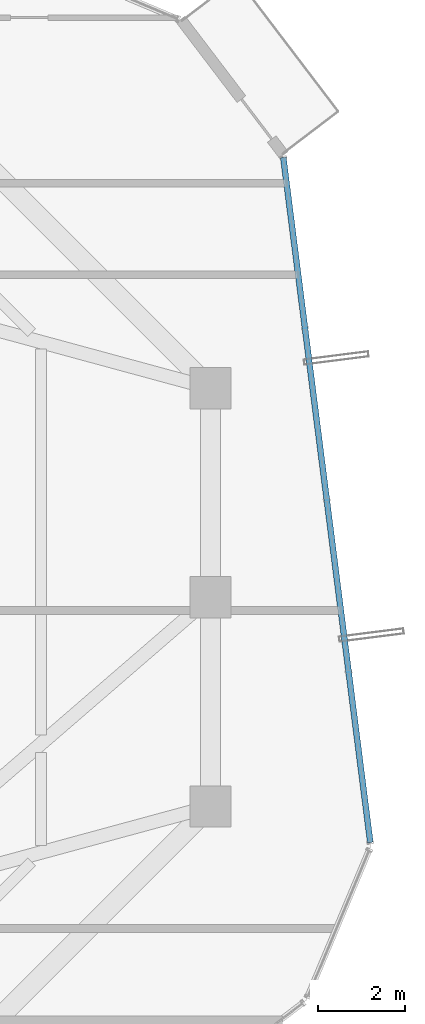
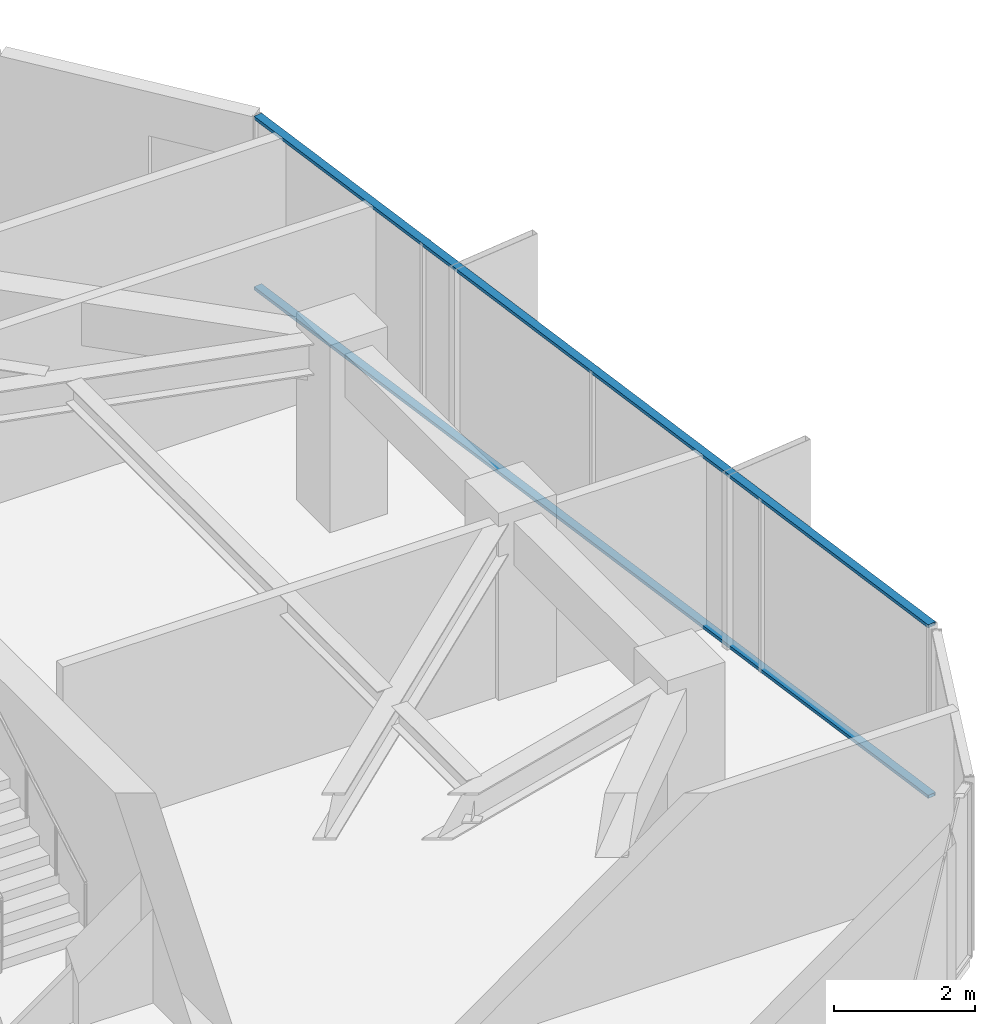
# One storey, part 19 of 32: 2 members, 1 element without a shape of its own.
"""IFC4 building model written with IfcOpenShell, lengths in metres."""

import ifcopenshell
import ifcopenshell.guid

model = None  # the IFC model being written
_history = None  # IfcOwnerHistory: only IFC2X3 demands one
_inside = {}  # id of a spatial element -> (the spatial element, [elements in it])
_under = {}  # id of a project, library or spatial element -> (it, [spatial elements below it])
_declared = {}  # id of a project -> (the project, [libraries it declares])
_typed = {}  # id of a type object -> (the type object, [elements of that type])
_made_of = {}  # id of a material, layer set ... -> (it, [elements and type objects made of it])


def new_model(schema):
    """Start an empty IFC model of exactly this schema.

    Asked for "IFC4X3", IfcOpenShell would pick the latest addendum, in which some entities
    have other attributes; the version numbers below select the first issue.
    IFC2X3 requires an IfcOwnerHistory on every rooted entity: one is made here for all.
    """
    global model, _history
    if schema == "IFC4X3":
        model = ifcopenshell.file(schema_version=(4, 3, 0, 0))
    else:
        model = ifcopenshell.file(schema=schema)
    _inside.clear()
    _under.clear()
    _declared.clear()
    _typed.clear()
    _made_of.clear()
    _history = None
    if model.schema == "IFC2X3":
        org = make("IfcOrganization", Name="unknown")
        user = make(
            "IfcPersonAndOrganization",
            ThePerson=make("IfcPerson", FamilyName="unknown"),
            TheOrganization=org,
        )
        app = make(
            "IfcApplication",
            ApplicationDeveloper=org,
            Version="unknown",
            ApplicationFullName="unknown",
            ApplicationIdentifier="unknown",
        )
        _history = make(
            "IfcOwnerHistory",
            OwningUser=user,
            OwningApplication=app,
            ChangeAction="ADDED",
            CreationDate=0,
        )
    return model


def make(cls, **values):
    """One entity of the class cls with the attributes given. An attribute that is None is left unset."""
    return model.create_entity(
        cls, **{name: value for name, value in values.items() if value is not None}
    )


def rooted(cls, **values):
    """An entity with a GlobalId (a new one), such as an element, a storey or a relation."""
    return make(cls, GlobalId=ifcopenshell.guid.new(), OwnerHistory=_history, **values)


def si_unit(unit_type, name, prefix=None):
    """IfcSIUnit, for example si_unit("LENGTHUNIT", "METRE", prefix="MILLI")."""
    return make("IfcSIUnit", UnitType=unit_type, Prefix=prefix, Name=name)


def assignment(units):
    """IfcUnitAssignment: the units of a project."""
    return None if units is None else make("IfcUnitAssignment", Units=units)


def point(xyz):
    """IfcCartesianPoint."""
    return None if xyz is None else make("IfcCartesianPoint", Coordinates=xyz)


def direction(xyz):
    """IfcDirection."""
    return None if xyz is None else make("IfcDirection", DirectionRatios=xyz)


def frame(location, z_axis=None, x_axis=None):
    """IfcAxis2Placement3D, a coordinate frame: its origin and axes. An axis left out is left unset."""
    return make(
        "IfcAxis2Placement3D",
        Location=point(location),
        Axis=direction(z_axis),
        RefDirection=direction(x_axis),
    )


def frame_2d(location, x_axis=None):
    """IfcAxis2Placement2D, a coordinate frame in the plane: its origin and x axis."""
    return make(
        "IfcAxis2Placement2D", Location=point(location), RefDirection=direction(x_axis)
    )


def origin():
    """The frame at (0, 0, 0) with its axes left unset."""
    return frame((0.0, 0.0, 0.0))


def origin_2d():
    """The frame at (0, 0) in the plane with its x axis left unset."""
    return frame_2d((0.0, 0.0))


def place(relative_to, where):
    """IfcLocalPlacement: puts the frame where relative to a parent placement (None: the world)."""
    return make(
        "IfcLocalPlacement", PlacementRelTo=relative_to, RelativePlacement=where
    )


def context(
    kind, dimensions, precision=None, world=None, true_north=None, identifier=None
):
    """IfcGeometricRepresentationContext, for example the 3D "Model" context."""
    return make(
        "IfcGeometricRepresentationContext",
        ContextIdentifier=identifier,
        ContextType=kind,
        CoordinateSpaceDimension=dimensions,
        Precision=precision,
        WorldCoordinateSystem=world,
        TrueNorth=true_north,
    )


def subcontext(parent, identifier, kind, view, scale=None):
    """IfcGeometricRepresentationSubContext, for example "Body" below "Model"."""
    return make(
        "IfcGeometricRepresentationSubContext",
        ContextIdentifier=identifier,
        ContextType=kind,
        ParentContext=parent,
        TargetScale=scale,
        TargetView=view,
    )


def project(units=None, contexts=None):
    """IfcProject with its units and contexts."""
    return rooted(
        "IfcProject",
        Name="project",
        RepresentationContexts=contexts,
        UnitsInContext=assignment(units),
    )


def spatial(cls, under=None, at=None, **own):
    """A site, building, storey or space (cls), placed at a placement, below another one or the project."""
    s = rooted(cls, ObjectPlacement=at, **own)
    if under is not None:
        _under.setdefault(under.id(), (under, []))[1].append(s)
    return s


def profile(cls, at=None, kind="AREA", **sizes):
    """A parametric profile (cls). Its sizes go by their IFC names, for example OverallWidth=200.0."""
    return make(cls, ProfileType=kind, Position=at, **sizes)


def hollow_rectangle(**sizes):
    """IfcRectangleHollowProfileDef."""
    return profile("IfcRectangleHollowProfileDef", **sizes)


def extrude(swept, where, along, depth):
    """IfcExtrudedAreaSolid: the profile swept, set in the frame where, extruded along a direction by depth."""
    return make(
        "IfcExtrudedAreaSolid",
        SweptArea=swept,
        Position=where,
        ExtrudedDirection=direction(along),
        Depth=depth,
    )


def shape(context_of_items, identifier, shape_type, items):
    """IfcShapeRepresentation: the items that make up one representation, for example the "Body"."""
    return make(
        "IfcShapeRepresentation",
        ContextOfItems=context_of_items,
        RepresentationIdentifier=identifier,
        RepresentationType=shape_type,
        Items=items,
    )


def source(mapping_origin, context_of_items, identifier, shape_type, items):
    """IfcRepresentationMap: a shape defined once, which mapped items show again and again."""
    return make(
        "IfcRepresentationMap",
        MappingOrigin=mapping_origin,
        MappedRepresentation=shape(context_of_items, identifier, shape_type, items),
    )


def transform(
    local_origin,
    x_axis=None,
    y_axis=None,
    z_axis=None,
    scale=None,
    scale2=None,
    scale3=None,
    uniform=True,
):
    """IfcCartesianTransformationOperator3D, or its non-uniform kind. x_axis, y_axis, z_axis: its Axis1, 2, 3."""
    if uniform:
        return make(
            "IfcCartesianTransformationOperator3D",
            Axis1=direction(x_axis),
            Axis2=direction(y_axis),
            LocalOrigin=point(local_origin),
            Scale=scale,
            Axis3=direction(z_axis),
        )
    return make(
        "IfcCartesianTransformationOperator3DnonUniform",
        Axis1=direction(x_axis),
        Axis2=direction(y_axis),
        LocalOrigin=point(local_origin),
        Scale=scale,
        Axis3=direction(z_axis),
        Scale2=scale2,
        Scale3=scale3,
    )


def mapped(mapping_source, mapping_target):
    """IfcMappedItem: shows the shape of a source again, moved by a transform."""
    return make(
        "IfcMappedItem", MappingSource=mapping_source, MappingTarget=mapping_target
    )


def material(Name=None, Category=None):
    """IfcMaterial."""
    return make("IfcMaterial", Name=Name, Category=Category)


def layer(
    of_material, thickness, ventilated=None, Name=None, Category=None, Priority=None
):
    """IfcMaterialLayer: one layer of a wall or slab, of a material (None: an air gap)."""
    return make(
        "IfcMaterialLayer",
        Material=of_material,
        LayerThickness=thickness,
        IsVentilated=ventilated,
        Name=Name,
        Category=Category,
        Priority=Priority,
    )


def layer_set(layers, Name=None):
    """IfcMaterialLayerSet."""
    return make("IfcMaterialLayerSet", MaterialLayers=layers, LayerSetName=Name)


def material_profile(
    of_material, cross_section, Name=None, Category=None, Priority=None
):
    """IfcMaterialProfile: a cross section and its material."""
    return make(
        "IfcMaterialProfile",
        Name=Name,
        Material=of_material,
        Profile=cross_section,
        Priority=Priority,
        Category=Category,
    )


def profile_set(profiles, Name=None, composite=None):
    """IfcMaterialProfileSet."""
    return make(
        "IfcMaterialProfileSet",
        Name=Name,
        MaterialProfiles=profiles,
        CompositeProfile=composite,
    )


def made_of(thing, what):
    """Note that an element or type object is made of a material, layer set ...; save() writes the relation."""
    if what is not None:
        _made_of.setdefault(what.id(), (what, []))[1].append(thing)
    return thing


def type_object(cls, material=None, **own):
    """A type object (cls), such as IfcWallType, which elements share."""
    return made_of(rooted(cls, **own), material)


def element(
    cls,
    number,
    at=None,
    inside=None,
    cuts=None,
    type_object=None,
    material=None,
    context=None,
    identifier="Body",
    shape_type=None,
    held_by="IfcProductDefinitionShape",
    body=None,
    shapes=None,
    **own,
):
    """One element of the class cls, such as IfcWall. Its Tag is "e" and its number.

    at: its placement. inside: the storey or other place that contains it. cuts: it is an
    opening in that element (IfcRelVoidsElement). A single representation is given by context,
    identifier, shape_type and body (its items); several are given by shapes. held_by: the class
    of the entity that holds the representations. save() writes the other relations.
    """
    e = rooted(cls, Tag="e%d" % number, ObjectPlacement=at, **own)
    if body is not None:
        shapes = [shape(context, identifier, shape_type, body)]
    if shapes is not None:
        e.Representation = make(held_by, Representations=shapes)
    if inside is not None:
        _inside.setdefault(inside.id(), (inside, []))[1].append(e)
    if cuts is not None:
        rooted(
            "IfcRelVoidsElement", RelatingBuildingElement=cuts, RelatedOpeningElement=e
        )
    if type_object is not None:
        _typed.setdefault(type_object.id(), (type_object, []))[1].append(e)
    return made_of(e, material)


def aggregate(whole, parts):
    """IfcRelAggregates: a whole, such as a stair, and the parts it consists of."""
    return rooted("IfcRelAggregates", RelatingObject=whole, RelatedObjects=parts)


def save(model, path):
    """Write the relations noted so far, then the file.

    IfcRelAggregates (storeys below a building ...), IfcRelContainedInSpatialStructure (elements
    in a storey), IfcRelDefinesByType, IfcRelAssociatesMaterial and IfcRelDeclares: one each for
    every whole, place, type object, material and project.
    """
    for whole, parts in _under.values():
        aggregate(whole, parts)
    for where, things in _inside.values():
        rooted(
            "IfcRelContainedInSpatialStructure",
            RelatedElements=things,
            RelatingStructure=where,
        )
    for kind, things in _typed.values():
        rooted("IfcRelDefinesByType", RelatedObjects=things, RelatingType=kind)
    for what, things in _made_of.values():
        rooted("IfcRelAssociatesMaterial", RelatedObjects=things, RelatingMaterial=what)
    for by, libraries in _declared.values():
        rooted("IfcRelDeclares", RelatingContext=by, RelatedDefinitions=libraries)
    model.write(path)


model = new_model("IFC4")

# Units and contexts
model_context = context("Model", 3, precision=1e-05, world=origin(), true_north=direction((0.0, 1.0)))
body_context = subcontext(model_context, "Body", "Model", "MODEL_VIEW")
ifc_project = project(units=[si_unit("LENGTHUNIT", "METRE"), si_unit("AREAUNIT", "SQUARE_METRE"), si_unit("VOLUMEUNIT", "CUBIC_METRE"), si_unit("PLANEANGLEUNIT", "RADIAN"), si_unit("MASSUNIT", "GRAM", prefix="KILO")], contexts=[model_context])

# Site, building, storey
site_placement = place(None, origin())
site = spatial("IfcSite", under=ifc_project, at=site_placement, CompositionType="ELEMENT")
building_placement = place(site_placement, origin())
building = spatial("IfcBuilding", under=site, at=building_placement, Name="Veraguas Prism Commons", CompositionType="ELEMENT")
storey_placement = place(building_placement, frame((0.0, 0.0, 182.10009765625)))
storey = spatial("IfcBuildingStorey", under=building, at=storey_placement, Name="L51", CompositionType="ELEMENT", Elevation=182.10009765625)

# Curtain wall, members
ifc_material = material(Name="Anodised aluminium EN AW-6063 T6", Category="aluminium")
ifc_layer = layer(ifc_material, 0.14990234375, Name="Unitised Flush Curtain Wall Zone 3", Category="aluminium")
ifc_layer_set = layer_set([ifc_layer], Name="Anodised aluminium EN AW-6063 T6")
curtain_wall_type = type_object("IfcCurtainWallType", Name="Unitised Flush Curtain Wall Zone 3", PredefinedType="NOTDEFINED", material=ifc_layer_set)
curtain_wall_placement = place(storey_placement, origin())
curtain_wall = element("IfcCurtainWall", 1, at=curtain_wall_placement, inside=storey, type_object=curtain_wall_type, Name="Tower Facade Curtain Wall L51-F6", PredefinedType="NOTDEFINED")
ifc_material_profile = material_profile(ifc_material, hollow_rectangle(XDim=0.054931640625, YDim=0.135009765625, WallThickness=0.0029296875, at=origin_2d()), Name="AL55X135X3")
ifc_profile_set = profile_set([ifc_material_profile], Name="Anodised aluminium EN AW-6063 T6")
member_type = type_object("IfcMemberType", Name="Curtain Wall Transom Standard AL 55x135x3", PredefinedType="USERDEFINED", material=ifc_profile_set)
shared_shape = source(origin(), body_context, "Body", "SweptSolid", [
    extrude(hollow_rectangle(XDim=0.054931640625, YDim=0.135009765625, WallThickness=0.0029296875, at=origin_2d()), origin(), (0.0, 0.0, 1.0), 15.842529296875),
])
member_1_placement = place(storey_placement, frame((42.567138671875, 18.373779296875, 0.02734375), z_axis=(-0.126010812661, 0.992028868074, 0.0), x_axis=(0.0, 0.0, 1.0)))
member_1 = element("IfcMember", 2, at=member_1_placement, type_object=member_type, Name="CW-Z3 Transom 1", ObjectType="TRANSOM", PredefinedType="USERDEFINED", context=body_context, shape_type="MappedRepresentation", body=[
    mapped(shared_shape, transform((0.0, 0.0, 0.0), scale=1.0)),
])
member_2_placement = place(storey_placement, frame((42.567138671875, 18.373779296875, 2.9873046875), z_axis=(-0.126010812661, 0.992028868074, 0.0), x_axis=(0.0, 0.0, 1.0)))
member_2 = element("IfcMember", 3, at=member_2_placement, type_object=member_type, Name="CW-Z3 Transom 2", ObjectType="TRANSOM", PredefinedType="USERDEFINED", context=body_context, shape_type="MappedRepresentation", body=[
    mapped(shared_shape, transform((0.0, 0.0, 0.0), scale=1.0)),
])
aggregate(curtain_wall, [member_1, member_2])

save(model, "model.ifc")
